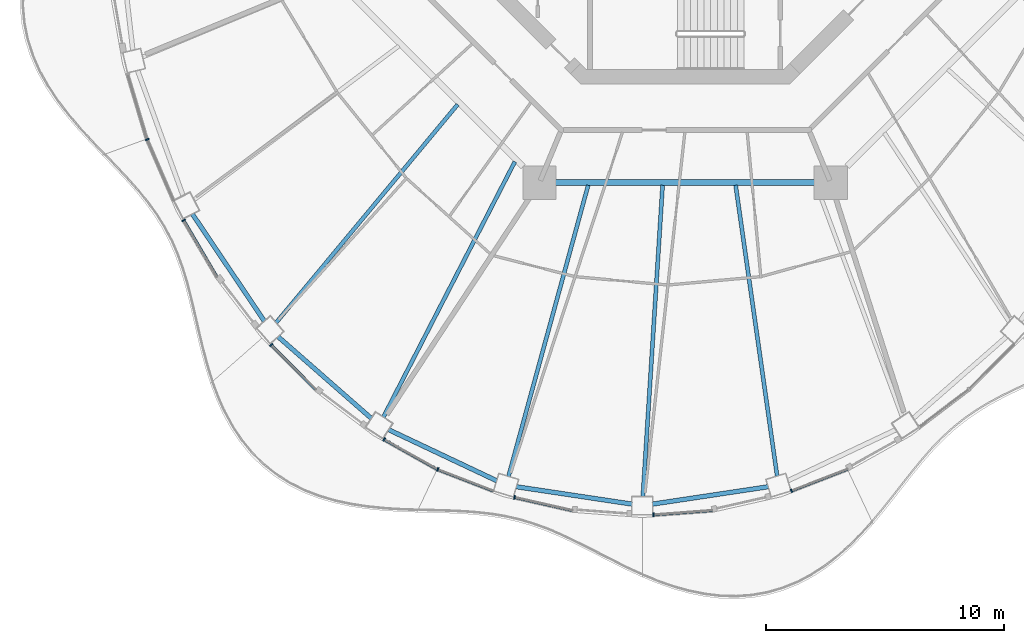
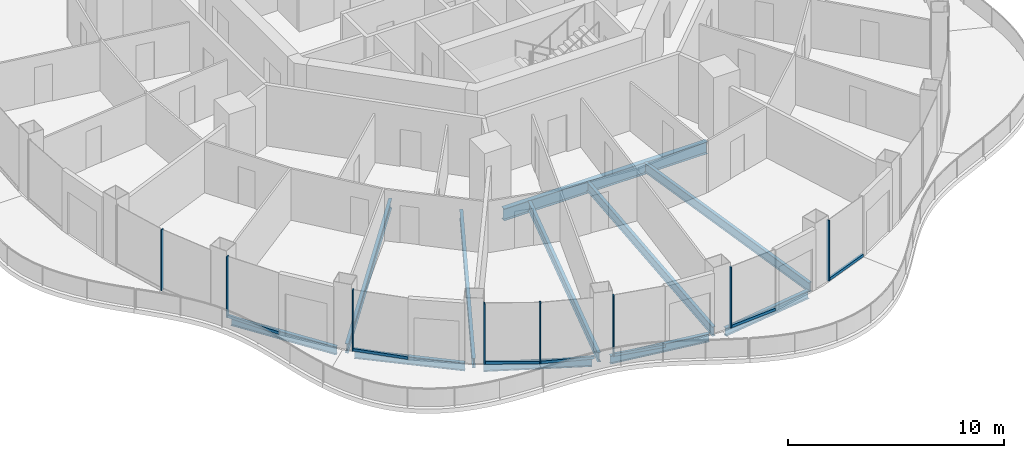
# One storey, part 2 of 17: 15 members, 11 beams, 8 elements without a shape of their own.
"""IFC4 building model written with IfcOpenShell, lengths in metres."""

from ifc_helpers import new_model, si_unit, direction, frame, origin, origin_2d, place, context, subcontext, project, spatial, rectangle, i_section, extrude, material, layer, layer_set, material_profile, profile_set, type_object, element, aggregate, save


model = new_model("IFC4")

# Units and contexts
model_context = context("Model", 3, precision=1e-05, world=origin(), true_north=direction((0.0, 1.0)))
body_context = subcontext(model_context, "Body", "Model", "MODEL_VIEW")
ifc_project = project(units=[si_unit("LENGTHUNIT", "METRE"), si_unit("AREAUNIT", "SQUARE_METRE"), si_unit("VOLUMEUNIT", "CUBIC_METRE"), si_unit("PLANEANGLEUNIT", "RADIAN"), si_unit("MASSUNIT", "GRAM", prefix="KILO")], contexts=[model_context])

# Site, building, storey
site_placement = place(None, origin())
site = spatial("IfcSite", under=ifc_project, at=site_placement, CompositionType="ELEMENT")
building_placement = place(site_placement, origin())
building = spatial("IfcBuilding", under=site, at=building_placement, Name="Nagisa Residences", CompositionType="ELEMENT")
storey_placement = place(building_placement, frame((0.0, 0.0, 280.699951171875)))
storey = spatial("IfcBuildingStorey", under=building, at=storey_placement, Name="L71", CompositionType="ELEMENT", Elevation=280.699951171875)

# Curtain wall, member
ifc_material_1 = material(Name="Concrete-coloured aluminium curtain wall system", Category="concrete")
ifc_layer = layer(ifc_material_1, 0.159912109375)
ifc_layer_set = layer_set([ifc_layer], Name="CW1 CURTAIN WALL")
curtain_wall_type = type_object("IfcCurtainWallType", Name="CW1 CURTAIN WALL", PredefinedType="NOTDEFINED", material=ifc_layer_set)
curtain_wall_1_placement = place(storey_placement, origin())
curtain_wall_1 = element("IfcCurtainWall", 1, at=curtain_wall_1_placement, inside=storey, type_object=curtain_wall_type, Name="cw:CW1:L71:27", PredefinedType="NOTDEFINED")
ifc_material_2 = material(Name="Concrete-coloured aluminium", Category="concrete")
ifc_material_profile_1 = material_profile(ifc_material_2, rectangle(XDim=0.159912109375, YDim=0.06005859375, at=origin_2d()), Name="CW1 MULLION 160x60")
ifc_profile_set_1 = profile_set([ifc_material_profile_1], Name="Concrete-coloured aluminium")
member_type_1 = type_object("IfcMemberType", Name="CW1 MULLION 160x60", PredefinedType="MULLION", material=ifc_profile_set_1)
member_1_placement = place(storey_placement, frame((-22.61279296875, -12.963623046875, 0.0), z_axis=(0.0, 0.0, 1.0), x_axis=(0.917543276295, 0.397635934147, 0.0)))
member_1 = element("IfcMember", 2, at=member_1_placement, type_object=member_type_1, Name="CW1 mullion", PredefinedType="MULLION", context=body_context, shape_type="SweptSolid", body=[
    extrude(rectangle(XDim=0.159912109375, YDim=0.06005859375, at=origin_2d()), origin(), (0.0, 0.0, 1.0), 3.43994140625),
])
aggregate(curtain_wall_1, [member_1])

curtain_wall_2_placement = place(storey_placement, origin())
curtain_wall_2 = element("IfcCurtainWall", 3, at=curtain_wall_2_placement, inside=storey, type_object=curtain_wall_type, Name="cw:CW1:L71:28", PredefinedType="NOTDEFINED")
member_2_placement = place(storey_placement, frame((-21.077392578125, -16.361083984375, 0.0), z_axis=(0.0, 0.0, 1.0), x_axis=(0.862328898214, 0.506348567002, 0.0)))
member_2 = element("IfcMember", 4, at=member_2_placement, type_object=member_type_1, Name="CW1 mullion", PredefinedType="MULLION", context=body_context, shape_type="SweptSolid", body=[
    extrude(rectangle(XDim=0.159912109375, YDim=0.06005859375, at=origin_2d()), origin(), (0.0, 0.0, 1.0), 3.43994140625),
])

curtain_wall_3_placement = place(storey_placement, origin())
curtain_wall_3 = element("IfcCurtainWall", 5, at=curtain_wall_3_placement, inside=storey, type_object=curtain_wall_type, Name="cw:CW1:L71:30", PredefinedType="NOTDEFINED")
member_3_placement = place(storey_placement, frame((-17.3984375, -21.60107421875, 0.0), z_axis=(0.0, 0.0, 1.0), x_axis=(0.706376885714, 0.707835924016, 0.0)))
member_3 = element("IfcMember", 6, at=member_3_placement, type_object=member_type_1, Name="CW1 mullion", PredefinedType="MULLION", context=body_context, shape_type="SweptSolid", body=[
    extrude(rectangle(XDim=0.159912109375, YDim=0.06005859375, at=origin_2d()), origin(), (0.0, 0.0, 1.0), 3.43994140625),
])

curtain_wall_4_placement = place(storey_placement, origin())
curtain_wall_4 = element("IfcCurtainWall", 7, at=curtain_wall_4_placement, inside=storey, type_object=curtain_wall_type, Name="cw:CW1:L71:32", PredefinedType="NOTDEFINED")
member_4_placement = place(storey_placement, frame((-12.65234375, -25.57421875, 0.0), z_axis=(0.0, 0.0, 1.0), x_axis=(0.489376918501, 0.872072377523, 0.0)))
member_4 = element("IfcMember", 8, at=member_4_placement, type_object=member_type_1, Name="CW1 mullion", PredefinedType="MULLION", context=body_context, shape_type="SweptSolid", body=[
    extrude(rectangle(XDim=0.159912109375, YDim=0.06005859375, at=origin_2d()), origin(), (0.0, 0.0, 1.0), 3.43994140625),
])

curtain_wall_5_placement = place(storey_placement, origin())
curtain_wall_5 = element("IfcCurtainWall", 9, at=curtain_wall_5_placement, inside=storey, type_object=curtain_wall_type, Name="cw:CW1:L71:33", PredefinedType="NOTDEFINED")
member_5_placement = place(storey_placement, frame((-10.3994140625, -26.83447265625, 0.0), z_axis=(0.0, 0.0, 1.0), x_axis=(0.360327770268, 0.932825759707, 0.0)))
member_5 = element("IfcMember", 10, at=member_5_placement, type_object=member_type_1, Name="CW1 mullion", PredefinedType="MULLION", context=body_context, shape_type="SweptSolid", body=[
    extrude(rectangle(XDim=0.159912109375, YDim=0.06005859375, at=origin_2d()), origin(), (0.0, 0.0, 1.0), 3.43994140625),
])

curtain_wall_6_placement = place(storey_placement, origin())
curtain_wall_6 = element("IfcCurtainWall", 11, at=curtain_wall_6_placement, inside=storey, type_object=curtain_wall_type, Name="cw:CW1:L71:34", PredefinedType="NOTDEFINED")
member_6_placement = place(storey_placement, frame((-7.168701171875, -28.008544921875, 0.0), z_axis=(0.0, 0.0, 1.0), x_axis=(0.2207639201, 0.975327274089, 0.0)))
member_6 = element("IfcMember", 12, at=member_6_placement, type_object=member_type_1, Name="CW1 mullion", PredefinedType="MULLION", context=body_context, shape_type="SweptSolid", body=[
    extrude(rectangle(XDim=0.159912109375, YDim=0.06005859375, at=origin_2d()), origin(), (0.0, 0.0, 1.0), 3.43994140625),
])

curtain_wall_7_placement = place(storey_placement, origin())
curtain_wall_7 = element("IfcCurtainWall", 13, at=curtain_wall_7_placement, inside=storey, type_object=curtain_wall_type, Name="cw:CW1:L71:36", PredefinedType="NOTDEFINED")
member_7_placement = place(storey_placement, frame((-1.327392578125, -28.7421875, 0.0), z_axis=(0.0, 0.0, 1.0), x_axis=(-0.074377355493, 0.997230168512, 0.0)))
member_7 = element("IfcMember", 14, at=member_7_placement, type_object=member_type_1, Name="CW1 mullion", PredefinedType="MULLION", context=body_context, shape_type="SweptSolid", body=[
    extrude(rectangle(XDim=0.159912109375, YDim=0.06005859375, at=origin_2d()), origin(), (0.0, 0.0, 1.0), 3.43994140625),
])

curtain_wall_8_placement = place(storey_placement, origin())
curtain_wall_8 = element("IfcCurtainWall", 15, at=curtain_wall_8_placement, inside=storey, type_object=curtain_wall_type, Name="cw:CW1:L71:38", PredefinedType="NOTDEFINED")
member_8_placement = place(storey_placement, frame((4.473388671875, -27.733154296875, 0.0), z_axis=(0.0, 0.0, 1.0), x_axis=(-0.360327770268, 0.932825759707, 0.0)))
member_8 = element("IfcMember", 16, at=member_8_placement, type_object=member_type_1, Name="CW1 mullion", PredefinedType="MULLION", context=body_context, shape_type="SweptSolid", body=[
    extrude(rectangle(XDim=0.159912109375, YDim=0.06005859375, at=origin_2d()), origin(), (0.0, 0.0, 1.0), 3.43994140625),
])

# Member
ifc_material_3 = material(Name="Concrete-coloured aluminium", Category="concrete")
ifc_material_profile_2 = material_profile(ifc_material_3, rectangle(XDim=0.1201171875, YDim=0.14990234375, at=origin_2d()), Name="CW1 TRANSOM 120x150")
ifc_profile_set_2 = profile_set([ifc_material_profile_2], Name="Concrete-coloured aluminium")
member_type_2 = type_object("IfcMemberType", Name="CW1 TRANSOM 120x150", PredefinedType="USERDEFINED", material=ifc_profile_set_2)
member_9_placement = place(storey_placement, frame((-21.0927734375, -16.335205078125, 0.074951171875), z_axis=(0.506371364425, -0.862315511452, 0.0), x_axis=(0.862315511452, 0.506371364425, 0.0)))
member_9 = element("IfcMember", 17, at=member_9_placement, type_object=member_type_2, Name="CW1 transom", ObjectType="TRANSOM", PredefinedType="USERDEFINED", context=body_context, shape_type="SweptSolid", body=[
    extrude(rectangle(XDim=0.1201171875, YDim=0.14990234375, at=origin_2d()), origin(), (0.0, 0.0, 1.0), 2.79638671875),
])

aggregate(curtain_wall_2, [member_2, member_9])

member_10_placement = place(storey_placement, frame((-17.419677734375, -21.579833984375, 0.074951171875), z_axis=(0.707831739508, -0.706381078841, 0.0), x_axis=(0.706381078841, 0.707831739508, 0.0)))
member_10 = element("IfcMember", 18, at=member_10_placement, type_object=member_type_2, Name="CW1 transom", ObjectType="TRANSOM", PredefinedType="USERDEFINED", context=body_context, shape_type="SweptSolid", body=[
    extrude(rectangle(XDim=0.1201171875, YDim=0.14990234375, at=origin_2d()), origin(), (0.0, 0.0, 1.0), 2.692626953125),
])

aggregate(curtain_wall_3, [member_3, member_10])

member_11_placement = place(storey_placement, frame((-12.678466796875, -25.5595703125, 0.074951171875), z_axis=(0.872052877201, -0.489411666561, 0.0), x_axis=(0.489411666561, 0.872052877201, 0.0)))
member_11 = element("IfcMember", 19, at=member_11_placement, type_object=member_type_2, Name="CW1 transom", ObjectType="TRANSOM", PredefinedType="USERDEFINED", context=body_context, shape_type="SweptSolid", body=[
    extrude(rectangle(XDim=0.1201171875, YDim=0.14990234375, at=origin_2d()), origin(), (0.0, 0.0, 1.0), 2.593017578125),
])

aggregate(curtain_wall_4, [member_4, member_11])

member_12_placement = place(storey_placement, frame((-10.427490234375, -26.82373046875, 0.074951171875), z_axis=(0.93282223778, -0.360336887792, 0.0), x_axis=(0.360336887792, 0.93282223778, 0.0)))
member_12 = element("IfcMember", 20, at=member_12_placement, type_object=member_type_2, Name="CW1 transom", ObjectType="TRANSOM", PredefinedType="USERDEFINED", context=body_context, shape_type="SweptSolid", body=[
    extrude(rectangle(XDim=0.1201171875, YDim=0.14990234375, at=origin_2d()), origin(), (0.0, 0.0, 1.0), 2.5537109375),
])

aggregate(curtain_wall_5, [member_5, member_12])

member_13_placement = place(storey_placement, frame((-7.197998046875, -28.001953125, 0.074951171875), z_axis=(0.975319584032, -0.220797891756, 0.0), x_axis=(0.220797891756, 0.975319584032, 0.0)))
member_13 = element("IfcMember", 21, at=member_13_placement, type_object=member_type_2, Name="CW1 transom", ObjectType="TRANSOM", PredefinedType="USERDEFINED", context=body_context, shape_type="SweptSolid", body=[
    extrude(rectangle(XDim=0.1201171875, YDim=0.14990234375, at=origin_2d()), origin(), (0.0, 0.0, 1.0), 2.525390625),
])

aggregate(curtain_wall_6, [member_6, member_13])

member_14_placement = place(storey_placement, frame((-1.357177734375, -28.744384765625, 0.074951171875), z_axis=(0.99722914645, 0.074391057731, 0.0), x_axis=(-0.074391057731, 0.99722914645, 0.0)))
member_14 = element("IfcMember", 22, at=member_14_placement, type_object=member_type_2, Name="CW1 transom", ObjectType="TRANSOM", PredefinedType="USERDEFINED", context=body_context, shape_type="SweptSolid", body=[
    extrude(rectangle(XDim=0.1201171875, YDim=0.14990234375, at=origin_2d()), origin(), (0.0, 0.0, 1.0), 2.510498046875),
])

aggregate(curtain_wall_7, [member_7, member_14])

member_15_placement = place(storey_placement, frame((4.4453125, -27.743896484375, 0.074951171875), z_axis=(0.93282223778, 0.360336887792, 0.0), x_axis=(-0.360336887792, 0.93282223778, 0.0)))
member_15 = element("IfcMember", 23, at=member_15_placement, type_object=member_type_2, Name="CW1 transom", ObjectType="TRANSOM", PredefinedType="USERDEFINED", context=body_context, shape_type="SweptSolid", body=[
    extrude(rectangle(XDim=0.1201171875, YDim=0.14990234375, at=origin_2d()), origin(), (0.0, 0.0, 1.0), 2.5537109375),
])

aggregate(curtain_wall_8, [member_8, member_15])

# Beams
ifc_material_4 = material(Name="Steel ASTM A572 Gr 50", Category="steel")
ifc_material_profile_3 = material_profile(ifc_material_4, i_section(OverallWidth=0.2529296875, OverallDepth=0.677978515625, WebThickness=0.01171875, FlangeThickness=0.016357421875, at=origin_2d()), Name="W690x125")
ifc_profile_set_3 = profile_set([ifc_material_profile_3], Name="Steel ASTM A572 Gr 50")
beam_type_1 = type_object("IfcBeamType", Name="Inner ring beam W690x125", PredefinedType="BEAM", material=ifc_profile_set_3)
beam_1_placement = place(storey_placement, frame((-5.44287109375, -14.781982421875, -0.598876953125), z_axis=(1.0, 0.0, 0.0), x_axis=(0.0, 1.0, 0.0)))
element("IfcBeam", 24, at=beam_1_placement, inside=storey, type_object=beam_type_1, Name="beam:L71:ib6", PredefinedType="BEAM", context=body_context, shape_type="SweptSolid", body=[
    extrude(i_section(OverallWidth=0.2529296875, OverallDepth=0.677978515625, WebThickness=0.01171875, FlangeThickness=0.016357421875, at=origin_2d()), origin(), (0.0, 0.0, 1.0), 10.8857421875),
])
ifc_material_5 = material(Name="Steel ASTM A572 Gr 50", Category="steel")
ifc_material_profile_4 = material_profile(ifc_material_5, i_section(OverallWidth=0.18994140625, OverallDepth=0.45703125, WebThickness=0.009033203125, FlangeThickness=0.014404296875, at=origin_2d()), Name="W460x74")
ifc_profile_set_4 = profile_set([ifc_material_profile_4], Name="Steel ASTM A572 Gr 50")
beam_type_2 = type_object("IfcBeamType", Name="Perimeter ring beam W460x74", PredefinedType="BEAM", material=ifc_profile_set_4)
beam_2_placement = place(storey_placement, frame((-20.714599609375, -16.097412109375, -0.488525390625), z_axis=(0.558014665254, -0.829831087247, 0.0), x_axis=(0.829831087247, 0.558014665254, 0.0)))
element("IfcBeam", 25, at=beam_2_placement, inside=storey, type_object=beam_type_2, Name="beam:L71:pb15", PredefinedType="BEAM", context=body_context, shape_type="SweptSolid", body=[
    extrude(i_section(OverallWidth=0.18994140625, OverallDepth=0.45703125, WebThickness=0.009033203125, FlangeThickness=0.014404296875, at=origin_2d()), origin(), (0.0, 0.0, 1.0), 5.43212890625),
])
beam_3_placement = place(storey_placement, frame((-17.11474609375, -21.2509765625, -0.488525390625), z_axis=(0.752365189148, -0.658746250204, 0.0), x_axis=(0.658746250204, 0.752365189148, 0.0)))
element("IfcBeam", 26, at=beam_3_placement, inside=storey, type_object=beam_type_2, Name="beam:L71:pb16", PredefinedType="BEAM", context=body_context, shape_type="SweptSolid", body=[
    extrude(i_section(OverallWidth=0.18994140625, OverallDepth=0.45703125, WebThickness=0.009033203125, FlangeThickness=0.014404296875, at=origin_2d()), origin(), (0.0, 0.0, 1.0), 5.220947265625),
])
beam_4_placement = place(storey_placement, frame((-12.46728515625, -25.161865234375, -0.488525390625), z_axis=(0.904115893837, -0.427287316113, 0.0), x_axis=(0.427287316113, 0.904115893837, 0.0)))
element("IfcBeam", 27, at=beam_4_placement, inside=storey, type_object=beam_type_2, Name="beam:L71:pb17", PredefinedType="BEAM", context=body_context, shape_type="SweptSolid", body=[
    extrude(i_section(OverallWidth=0.18994140625, OverallDepth=0.45703125, WebThickness=0.009033203125, FlangeThickness=0.014404296875, at=origin_2d()), origin(), (0.0, 0.0, 1.0), 5.031494140625),
])
beam_5_placement = place(storey_placement, frame((-7.094970703125, -27.562255859375, -0.488525390625), z_axis=(0.98890648267, -0.148539451101, 0.0), x_axis=(0.148539451101, 0.98890648267, 0.0)))
element("IfcBeam", 28, at=beam_5_placement, inside=storey, type_object=beam_type_2, Name="beam:L71:pb18", PredefinedType="BEAM", context=body_context, shape_type="SweptSolid", body=[
    extrude(i_section(OverallWidth=0.18994140625, OverallDepth=0.45703125, WebThickness=0.009033203125, FlangeThickness=0.014404296875, at=origin_2d()), origin(), (0.0, 0.0, 1.0), 4.91943359375),
])
beam_6_placement = place(storey_placement, frame((-1.369873046875, -28.29296875, -0.488525390625), z_axis=(0.988907577601, 0.148532161377, 0.0), x_axis=(-0.148532161377, 0.988907577601, 0.0)))
element("IfcBeam", 29, at=beam_6_placement, inside=storey, type_object=beam_type_2, Name="beam:L71:pb19", PredefinedType="BEAM", context=body_context, shape_type="SweptSolid", body=[
    extrude(i_section(OverallWidth=0.18994140625, OverallDepth=0.45703125, WebThickness=0.009033203125, FlangeThickness=0.014404296875, at=origin_2d()), origin(), (0.0, 0.0, 1.0), 4.919677734375),
])
ifc_material_6 = material(Name="Steel ASTM A572 Gr 50", Category="steel")
ifc_material_profile_5 = material_profile(ifc_material_6, i_section(OverallWidth=0.166015625, OverallDepth=0.534912109375, WebThickness=0.01025390625, FlangeThickness=0.0166015625, at=origin_2d()), Name="W530x85")
ifc_profile_set_5 = profile_set([ifc_material_profile_5], Name="Steel ASTM A572 Gr 50")
beam_type_3 = type_object("IfcBeamType", Name="Radial beam W530x85", PredefinedType="BEAM", material=ifc_profile_set_5)
beam_7_placement = place(storey_placement, frame((-17.195068359375, -20.669189453125, -0.52734375), z_axis=(0.639540330466, 0.768757546764, 0.0), x_axis=(-0.768757546764, 0.639540330466, 0.0)))
element("IfcBeam", 30, at=beam_7_placement, inside=storey, type_object=beam_type_3, Name="beam:L71:rb16", PredefinedType="BEAM", context=body_context, shape_type="SweptSolid", body=[
    extrude(i_section(OverallWidth=0.166015625, OverallDepth=0.534912109375, WebThickness=0.01025390625, FlangeThickness=0.0166015625, at=origin_2d()), origin(), (0.0, 0.0, 1.0), 11.935302734375),
])
beam_8_placement = place(storey_placement, frame((-12.68505859375, -24.63623046875, -0.52734375), z_axis=(0.457775990682, 0.88906756906, 0.0), x_axis=(-0.88906756906, 0.457775990682, 0.0)))
element("IfcBeam", 31, at=beam_8_placement, inside=storey, type_object=beam_type_3, Name="beam:L71:rb17", PredefinedType="BEAM", context=body_context, shape_type="SweptSolid", body=[
    extrude(i_section(OverallWidth=0.166015625, OverallDepth=0.534912109375, WebThickness=0.01025390625, FlangeThickness=0.0166015625, at=origin_2d()), origin(), (0.0, 0.0, 1.0), 12.075927734375),
])
beam_9_placement = place(storey_placement, frame((-7.4248046875, -27.130859375, -0.52734375), z_axis=(0.263957181957, 0.964534398606, 0.0), x_axis=(-0.964534398606, 0.263957181957, 0.0)))
element("IfcBeam", 32, at=beam_9_placement, inside=storey, type_object=beam_type_3, Name="beam:L71:rb18", PredefinedType="BEAM", context=body_context, shape_type="SweptSolid", body=[
    extrude(i_section(OverallWidth=0.166015625, OverallDepth=0.534912109375, WebThickness=0.01025390625, FlangeThickness=0.0166015625, at=origin_2d()), origin(), (0.0, 0.0, 1.0), 12.69189453125),
])
beam_10_placement = place(storey_placement, frame((-1.77587890625, -27.9775390625, -0.52734375), z_axis=(0.06334711, 0.997991554901, 0.0), x_axis=(-0.997991554901, 0.06334711, 0.0)))
element("IfcBeam", 33, at=beam_10_placement, inside=storey, type_object=beam_type_3, Name="beam:L71:rb19", PredefinedType="BEAM", context=body_context, shape_type="SweptSolid", body=[
    extrude(i_section(OverallWidth=0.166015625, OverallDepth=0.534912109375, WebThickness=0.01025390625, FlangeThickness=0.0166015625, at=origin_2d()), origin(), (0.0, 0.0, 1.0), 13.115234375),
])
beam_11_placement = place(storey_placement, frame((3.87060546875, -27.11669921875, -0.52734375), z_axis=(-0.141302367909, 0.989966484697, 0.0), x_axis=(-0.989966484697, -0.141302367909, 0.0)))
element("IfcBeam", 34, at=beam_11_placement, inside=storey, type_object=beam_type_3, Name="beam:L71:rb20", PredefinedType="BEAM", context=body_context, shape_type="SweptSolid", body=[
    extrude(i_section(OverallWidth=0.166015625, OverallDepth=0.534912109375, WebThickness=0.01025390625, FlangeThickness=0.0166015625, at=origin_2d()), origin(), (0.0, 0.0, 1.0), 12.35205078125),
])

save(model, "model.ifc")
